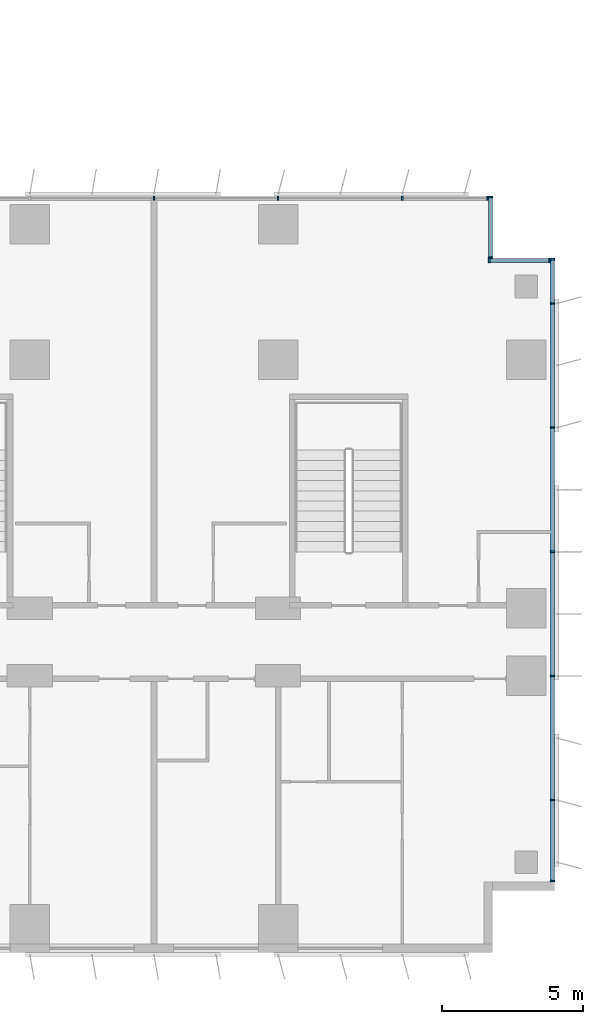
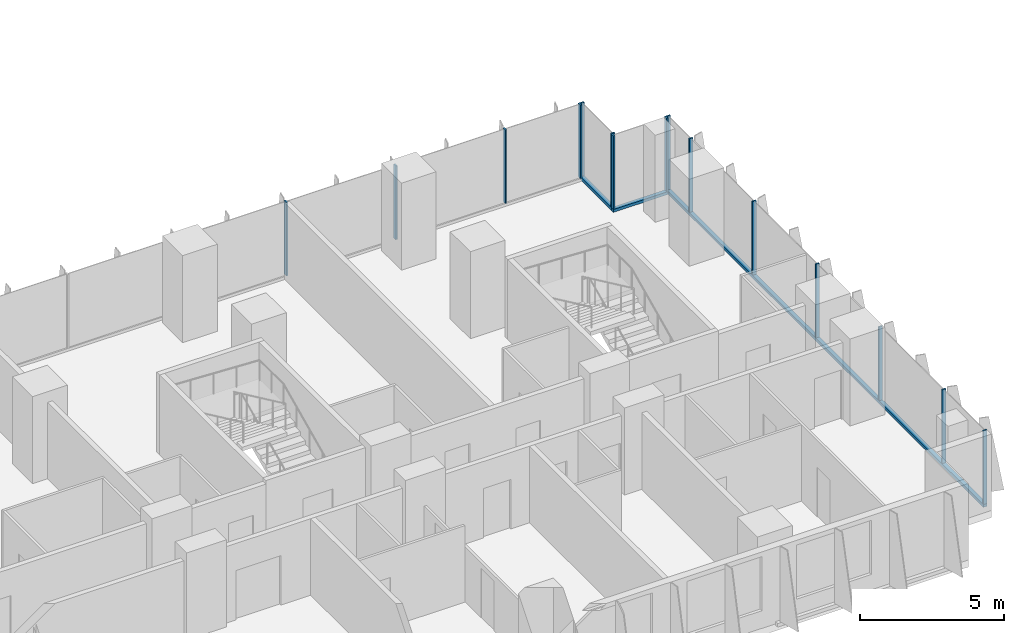
# One storey, part 8 of 24: 18 members, 4 elements without a shape of their own.
"""IFC4 building model written with IfcOpenShell, lengths in metres."""

from ifc_helpers import new_model, si_unit, direction, frame, origin, origin_2d, place, context, subcontext, project, spatial, rectangle, extrude, source, transform, mapped, material, material_profile, profile_set, type_object, element, aggregate, save


model = new_model("IFC4")

# Units and contexts
model_context = context("Model", 3, precision=1e-05, world=origin(), true_north=direction((0.0, 1.0)))
body_context = subcontext(model_context, "Body", "Model", "MODEL_VIEW")
ifc_project = project(units=[si_unit("LENGTHUNIT", "METRE"), si_unit("AREAUNIT", "SQUARE_METRE"), si_unit("VOLUMEUNIT", "CUBIC_METRE"), si_unit("PLANEANGLEUNIT", "RADIAN"), si_unit("MASSUNIT", "GRAM", prefix="KILO")], contexts=[model_context])

# Site, building, storey
site_placement = place(None, origin())
site = spatial("IfcSite", under=ifc_project, at=site_placement, CompositionType="ELEMENT")
building_placement = place(site_placement, origin())
building = spatial("IfcBuilding", under=site, at=building_placement, Name="Kemantara Hotel Tower", CompositionType="ELEMENT")
storey_placement = place(building_placement, frame((0.0, 0.0, 79.699951171875)))
storey = spatial("IfcBuildingStorey", under=building, at=storey_placement, Name="L18", CompositionType="ELEMENT", Elevation=79.699951171875)

# Curtain wall, member
ifc_material_1 = material(Name="Low-E tinted double insulated glass 36 mm", Category="glass")
curtain_wall_type = type_object("IfcCurtainWallType", Name="TOWER CURTAIN WALL, FRONT FACES", PredefinedType="USERDEFINED", material=ifc_material_1)
curtain_wall_1_placement = place(storey_placement, origin())
curtain_wall_1 = element("IfcCurtainWall", 1, at=curtain_wall_1_placement, inside=storey, type_object=curtain_wall_type, Name="CW4 L18 T1-R04-1", ObjectType="TOWER CURTAIN WALL, FRONT FACES", PredefinedType="USERDEFINED")
ifc_material_2 = material(Name="Aluminium 6063-T6 bronze anodised", Category="aluminium")
ifc_material_profile_1 = material_profile(ifc_material_2, rectangle(XDim=0.14990234375, YDim=0.1201171875, at=origin_2d()), Name="TOWER CURTAIN WALL, FRONT FACES TRANSOM")
ifc_profile_set_1 = profile_set([ifc_material_profile_1], Name="Aluminium 6063-T6 bronze anodised")
member_type_1 = type_object("IfcMemberType", Name="TOWER CURTAIN WALL, FRONT FACES TRANSOM", PredefinedType="USERDEFINED", material=ifc_profile_set_1)
member_1_placement = place(storey_placement, frame((81.125, 2.5, 0.06005859375), z_axis=(0.0, 1.0, 0.0), x_axis=(-1.0, 0.0, 0.0)))
member_1 = element("IfcMember", 2, at=member_1_placement, type_object=member_type_1, Name="CW4 sill transom T1-R04-1", ObjectType="TRANSOM", PredefinedType="USERDEFINED", context=body_context, shape_type="SweptSolid", body=[
    extrude(rectangle(XDim=0.14990234375, YDim=0.1201171875, at=origin_2d()), origin(), (0.0, 0.0, 1.0), 22.10009765625),
])

curtain_wall_2_placement = place(storey_placement, origin())
curtain_wall_2 = element("IfcCurtainWall", 3, at=curtain_wall_2_placement, inside=storey, type_object=curtain_wall_type, Name="CW4 L18 T1-R05-1", ObjectType="TOWER CURTAIN WALL, FRONT FACES", PredefinedType="USERDEFINED")
member_2_placement = place(storey_placement, frame((81.050048828125, 24.52490234375, 0.06005859375), z_axis=(-1.0, 0.0, 0.0), x_axis=(0.0, -1.0, 0.0)))
member_2 = element("IfcMember", 4, at=member_2_placement, type_object=member_type_1, Name="CW4 sill transom T1-R05-1", ObjectType="TRANSOM", PredefinedType="USERDEFINED", context=body_context, shape_type="SweptSolid", body=[
    extrude(rectangle(XDim=0.14990234375, YDim=0.1201171875, at=origin_2d()), origin(), (0.0, 0.0, 1.0), 2.199951171875),
])

curtain_wall_3_placement = place(storey_placement, origin())
curtain_wall_3 = element("IfcCurtainWall", 5, at=curtain_wall_3_placement, inside=storey, type_object=curtain_wall_type, Name="CW4 L18 T1-R06-1", ObjectType="TOWER CURTAIN WALL, FRONT FACES", PredefinedType="USERDEFINED")
member_3_placement = place(storey_placement, frame((78.925048828125, 24.60009765625, 0.06005859375), z_axis=(0.0, 1.0, 0.0), x_axis=(-1.0, 0.0, 0.0)))
member_3 = element("IfcMember", 6, at=member_3_placement, type_object=member_type_1, Name="CW4 sill transom T1-R06-1", ObjectType="TRANSOM", PredefinedType="USERDEFINED", context=body_context, shape_type="SweptSolid", body=[
    extrude(rectangle(XDim=0.14990234375, YDim=0.1201171875, at=origin_2d()), origin(), (0.0, 0.0, 1.0), 2.199951171875),
])

# Member
ifc_material_profile_2 = material_profile(ifc_material_2, rectangle(XDim=0.14990234375, YDim=0.06005859375, at=origin_2d()), Name="TOWER CURTAIN WALL, FRONT FACES MULLION")
ifc_profile_set_2 = profile_set([ifc_material_profile_2], Name="Aluminium 6063-T6 bronze anodised")
member_type_2 = type_object("IfcMemberType", Name="TOWER CURTAIN WALL, FRONT FACES MULLION", PredefinedType="MULLION", material=ifc_profile_set_2)
shared_shape = source(origin(), body_context, "Body", "SweptSolid", [
    extrude(rectangle(XDim=0.14990234375, YDim=0.06005859375, at=origin_2d()), origin(), (0.0, 0.0, 1.0), 3.1298828125),
])
member_4_placement = place(storey_placement, frame((81.125, 2.530029296875, 0.1201171875), z_axis=(0.0, 0.0, 1.0), x_axis=(-1.0, 0.0, 0.0)))
member_4 = element("IfcMember", 7, at=member_4_placement, type_object=member_type_2, Name="CW4 mullion T1-R04-1.1", PredefinedType="MULLION", context=body_context, shape_type="MappedRepresentation", body=[
    mapped(shared_shape, transform((0.0, 0.0, 0.0))),
])

member_5_placement = place(storey_placement, frame((81.125, 5.39990234375, 0.1201171875), z_axis=(0.0, 0.0, 1.0), x_axis=(-1.0, 0.0, 0.0)))
member_5 = element("IfcMember", 8, at=member_5_placement, type_object=member_type_2, Name="CW4 mullion T1-R04-1.2", PredefinedType="MULLION", context=body_context, shape_type="MappedRepresentation", body=[
    mapped(shared_shape, transform((0.0, 0.0, 0.0))),
])

member_6_placement = place(storey_placement, frame((81.125, 9.800048828125, 0.1201171875), z_axis=(0.0, 0.0, 1.0), x_axis=(-1.0, 0.0, 0.0)))
member_6 = element("IfcMember", 9, at=member_6_placement, type_object=member_type_2, Name="CW4 mullion T1-R04-1.3", PredefinedType="MULLION", context=body_context, shape_type="MappedRepresentation", body=[
    mapped(shared_shape, transform((0.0, 0.0, 0.0))),
])

member_7_placement = place(storey_placement, frame((81.125, 14.199951171875, 0.1201171875), z_axis=(0.0, 0.0, 1.0), x_axis=(-1.0, 0.0, 0.0)))
member_7 = element("IfcMember", 10, at=member_7_placement, type_object=member_type_2, Name="CW4 mullion T1-R04-1.4", PredefinedType="MULLION", context=body_context, shape_type="MappedRepresentation", body=[
    mapped(shared_shape, transform((0.0, 0.0, 0.0))),
])

member_8_placement = place(storey_placement, frame((81.125, 18.60009765625, 0.1201171875), z_axis=(0.0, 0.0, 1.0), x_axis=(-1.0, 0.0, 0.0)))
member_8 = element("IfcMember", 11, at=member_8_placement, type_object=member_type_2, Name="CW4 mullion T1-R04-1.5", PredefinedType="MULLION", context=body_context, shape_type="MappedRepresentation", body=[
    mapped(shared_shape, transform((0.0, 0.0, 0.0))),
])

member_9_placement = place(storey_placement, frame((81.125, 23.0, 0.1201171875), z_axis=(0.0, 0.0, 1.0), x_axis=(-1.0, 0.0, 0.0)))
member_9 = element("IfcMember", 12, at=member_9_placement, type_object=member_type_2, Name="CW4 mullion T1-R04-1.6", PredefinedType="MULLION", context=body_context, shape_type="MappedRepresentation", body=[
    mapped(shared_shape, transform((0.0, 0.0, 0.0))),
])

member_10_placement = place(storey_placement, frame((81.125, 24.570068359375, 0.1201171875), z_axis=(0.0, 0.0, 1.0), x_axis=(-1.0, 0.0, 0.0)))
member_10 = element("IfcMember", 13, at=member_10_placement, type_object=member_type_2, Name="CW4 mullion T1-R04-1.7", PredefinedType="MULLION", context=body_context, shape_type="MappedRepresentation", body=[
    mapped(shared_shape, transform((0.0, 0.0, 0.0))),
])

aggregate(curtain_wall_1, [member_1, member_4, member_5, member_6, member_7, member_8, member_9, member_10])

# Curtain wall, members
curtain_wall_4_placement = place(storey_placement, origin())
curtain_wall_4 = element("IfcCurtainWall", 14, at=curtain_wall_4_placement, inside=storey, type_object=curtain_wall_type, Name="CW4 L18 T1-R07-1", ObjectType="TOWER CURTAIN WALL, FRONT FACES", PredefinedType="USERDEFINED")
member_11_placement = place(storey_placement, frame((78.820068359375, 26.72509765625, 0.1201171875), z_axis=(0.0, 0.0, 1.0), x_axis=(0.0, -1.0, 0.0)))
member_11 = element("IfcMember", 15, at=member_11_placement, type_object=member_type_2, Name="CW4 mullion T1-R07-1.1", PredefinedType="MULLION", context=body_context, shape_type="MappedRepresentation", body=[
    mapped(shared_shape, transform((0.0, 0.0, 0.0))),
])
member_12_placement = place(storey_placement, frame((75.800048828125, 26.72509765625, 0.1201171875), z_axis=(0.0, 0.0, 1.0), x_axis=(0.0, -1.0, 0.0)))
member_12 = element("IfcMember", 16, at=member_12_placement, type_object=member_type_2, Name="CW4 mullion T1-R07-1.2", PredefinedType="MULLION", context=body_context, shape_type="MappedRepresentation", body=[
    mapped(shared_shape, transform((0.0, 0.0, 0.0))),
])
member_13_placement = place(storey_placement, frame((71.39990234375, 26.72509765625, 0.1201171875), z_axis=(0.0, 0.0, 1.0), x_axis=(0.0, -1.0, 0.0)))
member_13 = element("IfcMember", 17, at=member_13_placement, type_object=member_type_2, Name="CW4 mullion T1-R07-1.3", PredefinedType="MULLION", context=body_context, shape_type="MappedRepresentation", body=[
    mapped(shared_shape, transform((0.0, 0.0, 0.0))),
])
member_14_placement = place(storey_placement, frame((67.0, 26.72509765625, 0.1201171875), z_axis=(0.0, 0.0, 1.0), x_axis=(0.0, -1.0, 0.0)))
member_14 = element("IfcMember", 18, at=member_14_placement, type_object=member_type_2, Name="CW4 mullion T1-R07-1.4", PredefinedType="MULLION", context=body_context, shape_type="MappedRepresentation", body=[
    mapped(shared_shape, transform((0.0, 0.0, 0.0))),
])
aggregate(curtain_wall_4, [member_11, member_12, member_13, member_14])

# Member
member_15_placement = place(storey_placement, frame((81.02001953125, 24.52490234375, 0.1201171875), z_axis=(0.0, 0.0, 1.0), x_axis=(0.0, -1.0, 0.0)))
member_15 = element("IfcMember", 19, at=member_15_placement, type_object=member_type_2, Name="CW4 mullion T1-R05-1.1", PredefinedType="MULLION", context=body_context, shape_type="MappedRepresentation", body=[
    mapped(shared_shape, transform((0.0, 0.0, 0.0))),
])

member_16_placement = place(storey_placement, frame((78.8798828125, 24.52490234375, 0.1201171875), z_axis=(0.0, 0.0, 1.0), x_axis=(0.0, -1.0, 0.0)))
member_16 = element("IfcMember", 20, at=member_16_placement, type_object=member_type_2, Name="CW4 mullion T1-R05-1.2", PredefinedType="MULLION", context=body_context, shape_type="MappedRepresentation", body=[
    mapped(shared_shape, transform((0.0, 0.0, 0.0))),
])

aggregate(curtain_wall_2, [member_2, member_15, member_16])

member_17_placement = place(storey_placement, frame((78.925048828125, 24.6298828125, 0.1201171875), z_axis=(0.0, 0.0, 1.0), x_axis=(-1.0, 0.0, 0.0)))
member_17 = element("IfcMember", 21, at=member_17_placement, type_object=member_type_2, Name="CW4 mullion T1-R06-1.1", PredefinedType="MULLION", context=body_context, shape_type="MappedRepresentation", body=[
    mapped(shared_shape, transform((0.0, 0.0, 0.0))),
])

member_18_placement = place(storey_placement, frame((78.925048828125, 26.77001953125, 0.1201171875), z_axis=(0.0, 0.0, 1.0), x_axis=(-1.0, 0.0, 0.0)))
member_18 = element("IfcMember", 22, at=member_18_placement, type_object=member_type_2, Name="CW4 mullion T1-R06-1.2", PredefinedType="MULLION", context=body_context, shape_type="MappedRepresentation", body=[
    mapped(shared_shape, transform((0.0, 0.0, 0.0))),
])

aggregate(curtain_wall_3, [member_3, member_17, member_18])

save(model, "model.ifc")
